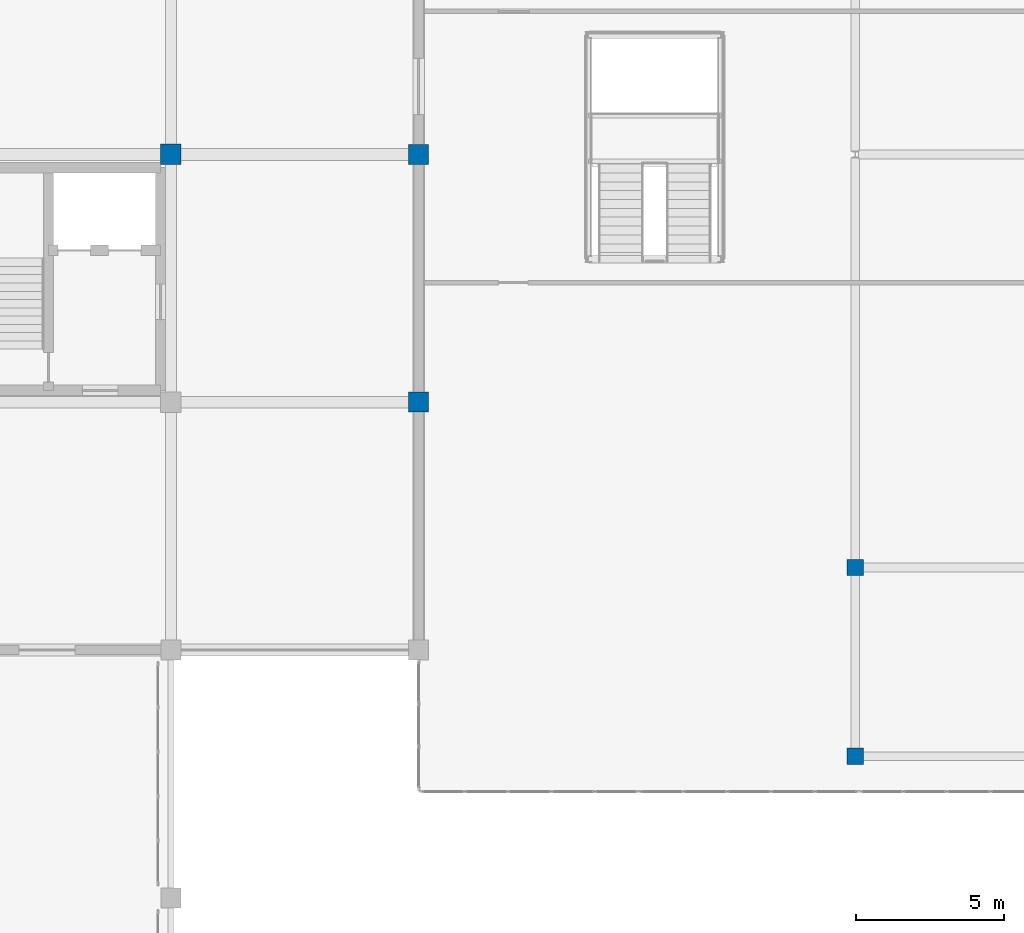
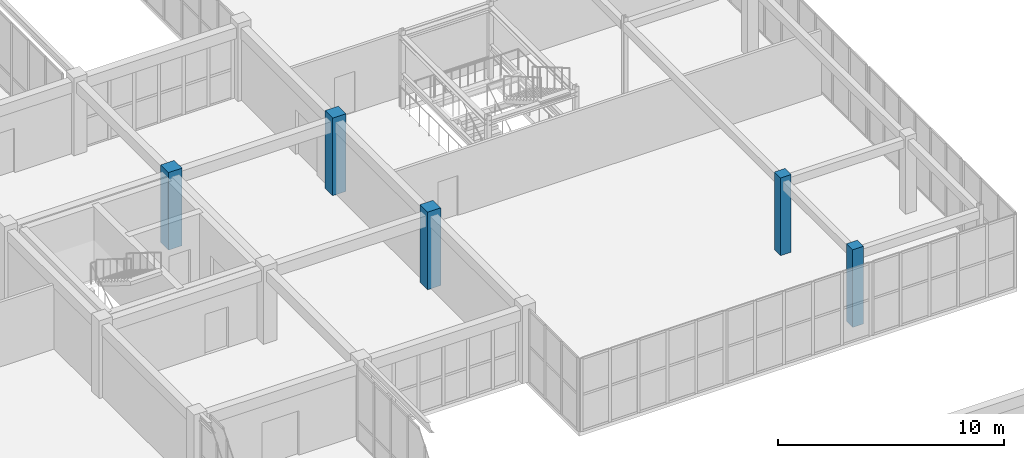
# One storey, part 5 of 140: 5 columns.
"""IFC4 building model written with IfcOpenShell, lengths in metres."""

from ifc_helpers import new_model, si_unit, direction, frame, origin, origin_2d, place, context, subcontext, project, spatial, rectangle, extrude, material, material_profile, profile_set, type_object, element, save


model = new_model("IFC4")

# Units and contexts
model_context = context("Model", 3, precision=1e-05, world=origin(), true_north=direction((0.0, 1.0)))
body_context = subcontext(model_context, "Body", "Model", "MODEL_VIEW")
ifc_project = project(units=[si_unit("LENGTHUNIT", "METRE"), si_unit("AREAUNIT", "SQUARE_METRE"), si_unit("VOLUMEUNIT", "CUBIC_METRE"), si_unit("PLANEANGLEUNIT", "RADIAN"), si_unit("MASSUNIT", "GRAM", prefix="KILO")], contexts=[model_context])

# Site, building, storey
site_placement = place(None, origin())
site = spatial("IfcSite", under=ifc_project, at=site_placement, CompositionType="ELEMENT")
building_placement = place(site_placement, origin())
building = spatial("IfcBuilding", under=site, at=building_placement, Name="Trelvath General Hospital", CompositionType="ELEMENT")
storey_placement = place(building_placement, frame((0.0, 0.0, 16.199951171875)))
storey = spatial("IfcBuildingStorey", under=building, at=storey_placement, Name="L04", CompositionType="ELEMENT", Elevation=16.199951171875)

# Columns
ifc_material_1 = material(Name="Concrete C40/50", Category="concrete")
ifc_material_profile_1 = material_profile(ifc_material_1, rectangle(XDim=0.550048828125, YDim=0.550048828125, at=origin_2d()), Name="RC550x550")
ifc_profile_set_1 = profile_set([ifc_material_profile_1], Name="Concrete C40/50")
column_type_1 = type_object("IfcColumnType", Name="Column RC550", PredefinedType="COLUMN", material=ifc_profile_set_1)
for number, where, z_axis, x_axis, name in (
    (1, (107.199951171875, 38.39990234375, 0.0), (0.0, 0.0, 1.0), (1.0, 0.0, 0.0), "Cube Interior Column CC-E01 L04"),
    (2, (107.199951171875, 44.800048828125, 0.0), (0.0, 0.0, 1.0), (1.0, 0.0, 0.0), "Cube Interior Column CC-E02 L04"),
):
    element("IfcColumn", number, at=place(storey_placement, frame(where, z_axis=z_axis, x_axis=x_axis)), inside=storey, type_object=column_type_1, Name=name, PredefinedType="COLUMN", context=body_context, shape_type="SweptSolid", body=[
        extrude(rectangle(XDim=0.550048828125, YDim=0.550048828125, at=origin_2d()), origin(), (0.0, 0.0, 1.0), 4.199951171875),
    ])
ifc_material_2 = material(Name="Concrete C40/50", Category="concrete")
ifc_material_profile_2 = material_profile(ifc_material_2, rectangle(XDim=0.679931640625, YDim=0.679931640625, at=origin_2d()), Name="RC680x680")
ifc_profile_set_2 = profile_set([ifc_material_profile_2], Name="Concrete C40/50")
column_type_2 = type_object("IfcColumnType", Name="Column RC680", PredefinedType="COLUMN", material=ifc_profile_set_2)
for number, where, z_axis, x_axis, name in (
    (3, (92.39990234375, 50.39990234375, 0.0), (0.0, 0.0, 1.0), (1.0, 0.0, 0.0), "Column C-12G L04"),
    (4, (92.39990234375, 58.800048828125, 0.0), (0.0, 0.0, 1.0), (1.0, 0.0, 0.0), "Column C-12H L04"),
):
    element("IfcColumn", number, at=place(storey_placement, frame(where, z_axis=z_axis, x_axis=x_axis)), inside=storey, type_object=column_type_2, Name=name, PredefinedType="COLUMN", context=body_context, shape_type="SweptSolid", body=[
        extrude(rectangle(XDim=0.679931640625, YDim=0.679931640625, at=origin_2d()), origin(), (0.0, 0.0, 1.0), 4.199951171875),
    ])
ifc_material_3 = material(Name="Concrete C40/50", Category="concrete")
ifc_material_profile_3 = material_profile(ifc_material_3, rectangle(XDim=0.699951171875, YDim=0.699951171875, at=origin_2d()), Name="RC700x700")
ifc_profile_set_3 = profile_set([ifc_material_profile_3], Name="Concrete C40/50")
column_type_3 = type_object("IfcColumnType", Name="Column RC700", PredefinedType="COLUMN", material=ifc_profile_set_3)
column_placement = place(storey_placement, frame((84.0, 58.800048828125, 0.0), z_axis=(0.0, 0.0, 1.0), x_axis=(1.0, 0.0, 0.0)))
element("IfcColumn", 5, at=column_placement, inside=storey, type_object=column_type_3, Name="Column C-11H L04", PredefinedType="COLUMN", context=body_context, shape_type="SweptSolid", body=[
    extrude(rectangle(XDim=0.699951171875, YDim=0.699951171875, at=origin_2d()), origin(), (0.0, 0.0, 1.0), 4.199951171875),
])

save(model, "model.ifc")
